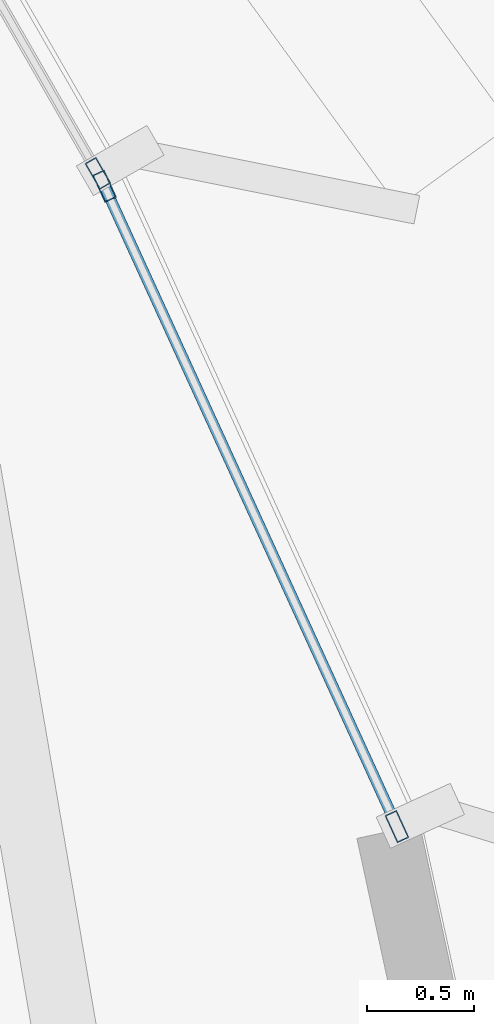
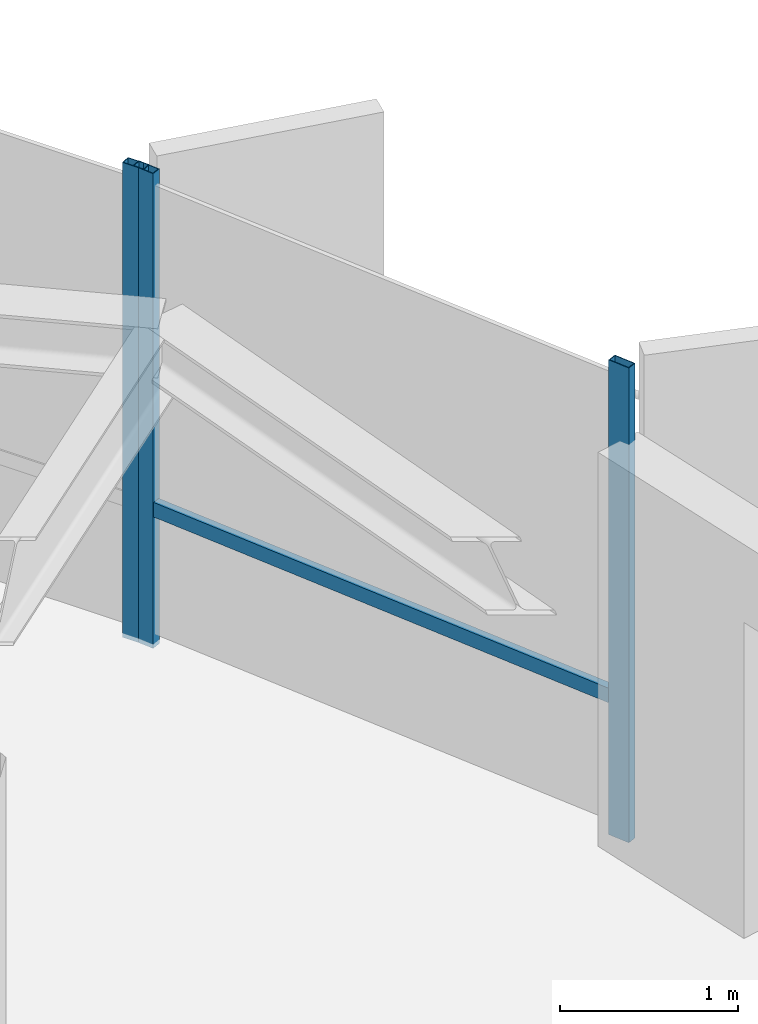
# One storey, part 25 of 35: 4 members, 2 elements without a shape of their own.
"""IFC4 building model written with IfcOpenShell, lengths in metres."""

from ifc_helpers import new_model, si_unit, direction, frame, origin, origin_2d, place, context, subcontext, project, spatial, hollow_rectangle, extrude, source, transform, mapped, material, layer, layer_set, material_profile, profile_set, type_object, element, aggregate, save


model = new_model("IFC4")

# Units and contexts
model_context = context("Model", 3, precision=1e-05, world=origin(), true_north=direction((0.0, 1.0)))
body_context = subcontext(model_context, "Body", "Model", "MODEL_VIEW")
ifc_project = project(units=[si_unit("LENGTHUNIT", "METRE"), si_unit("AREAUNIT", "SQUARE_METRE"), si_unit("VOLUMEUNIT", "CUBIC_METRE"), si_unit("PLANEANGLEUNIT", "RADIAN"), si_unit("MASSUNIT", "GRAM", prefix="KILO"), si_unit("THERMODYNAMICTEMPERATUREUNIT", "KELVIN")], contexts=[model_context])

# Site, building, storey
site_placement = place(None, origin())
site = spatial("IfcSite", under=ifc_project, at=site_placement, CompositionType="ELEMENT")
building_placement = place(site_placement, origin())
building = spatial("IfcBuilding", under=site, at=building_placement, Name="Kethvar Cultural Tower", CompositionType="ELEMENT")
storey_placement = place(building_placement, frame((0.0, 0.0, 179.89990234375)))
storey = spatial("IfcBuildingStorey", under=building, at=storey_placement, Name="L46", CompositionType="ELEMENT", Elevation=179.89990234375)

# Curtain wall, member
ifc_material = material(Name="Aluminium 6063-T6", Category="aluminium")
ifc_layer = layer(ifc_material, 0.179931640625, Name="Aluminium 6063-T6", Category="aluminium")
ifc_layer_set = layer_set([ifc_layer], Name="Aluminium 6063-T6 (180 mm)")
curtain_wall_type = type_object("IfcCurtainWallType", Name="CW-SYS-04-Z34", PredefinedType="NOTDEFINED", material=ifc_layer_set)
curtain_wall_1_placement = place(storey_placement, origin())
curtain_wall_1 = element("IfcCurtainWall", 1, at=curtain_wall_1_placement, inside=storey, type_object=curtain_wall_type, Name="L46 Curtain Wall Run 01", PredefinedType="NOTDEFINED")
ifc_material_profile_1 = material_profile(ifc_material, hollow_rectangle(XDim=0.06005859375, YDim=0.139892578125, WallThickness=0.0048828125, at=origin_2d()), Name="Aluminium 6063-T6 — RHS140x60x5")
ifc_profile_set_1 = profile_set([ifc_material_profile_1], Name="Aluminium 6063-T6 — RHS140x60x5")
member_type_1 = type_object("IfcMemberType", Name="CW-SYS-04-Z34-MUL", PredefinedType="MULLION", material=ifc_profile_set_1)
shared_shape_1 = source(origin(), body_context, "Body", "SweptSolid", [
    extrude(hollow_rectangle(XDim=0.06005859375, YDim=0.139892578125, WallThickness=0.0048828125, at=origin_2d()), origin(), (0.0, 0.0, 1.0), 3.260009765625),
])
member_1_placement = place(storey_placement, frame((68.578857421875, 43.685791015625, 0.0), z_axis=(0.0, 0.0, 1.0), x_axis=(-0.867140252475, -0.498064034575, 0.0)))
member_1 = element("IfcMember", 2, at=member_1_placement, type_object=member_type_1, Name="CW-L46-R01 Mullion 1", PredefinedType="MULLION", context=body_context, shape_type="MappedRepresentation", body=[
    mapped(shared_shape_1, transform((0.0, 0.0, 0.0), scale=1.0)),
])
aggregate(curtain_wall_1, [member_1])

# Curtain wall, members
curtain_wall_2_placement = place(storey_placement, origin())
curtain_wall_2 = element("IfcCurtainWall", 3, at=curtain_wall_2_placement, inside=storey, type_object=curtain_wall_type, Name="L46 Curtain Wall Run 07", PredefinedType="NOTDEFINED")
member_2_placement = place(storey_placement, frame((69.974609375, 40.636962890625, 0.0), z_axis=(0.0, 0.0, 1.0), x_axis=(-0.909620789922, -0.4154395486, 0.0)))
member_2 = element("IfcMember", 4, at=member_2_placement, type_object=member_type_1, Name="CW-L46-R07 Mullion 1", PredefinedType="MULLION", context=body_context, shape_type="MappedRepresentation", body=[
    mapped(shared_shape_1, transform((0.0, 0.0, 0.0), scale=1.0)),
])
member_3_placement = place(storey_placement, frame((68.60986328125, 43.62548828125, 0.0), z_axis=(0.0, 0.0, 1.0), x_axis=(-0.909620789922, -0.4154395486, 0.0)))
member_3 = element("IfcMember", 5, at=member_3_placement, type_object=member_type_1, Name="CW-L46-R07 Mullion 2", PredefinedType="MULLION", context=body_context, shape_type="MappedRepresentation", body=[
    mapped(shared_shape_1, transform((0.0, 0.0, 0.0), scale=1.0)),
])
ifc_material_profile_2 = material_profile(ifc_material, hollow_rectangle(XDim=0.050048828125, YDim=0.10009765625, WallThickness=0.00390625, at=origin_2d()), Name="Aluminium 6063-T6 — RHS100x50x4")
ifc_profile_set_2 = profile_set([ifc_material_profile_2], Name="Aluminium 6063-T6 — RHS100x50x4")
member_type_2 = type_object("IfcMemberType", Name="CW-SYS-04-Z34-TRN", PredefinedType="USERDEFINED", material=ifc_profile_set_2)
shared_shape_2 = source(origin(), body_context, "Body", "SweptSolid", [
    extrude(hollow_rectangle(XDim=0.050048828125, YDim=0.10009765625, WallThickness=0.00390625, at=origin_2d()), origin(), (0.0, 0.0, 1.0), 3.27685546875),
])
member_4_placement = place(storey_placement, frame((69.972900390625, 40.640869140625, 0.9501953125), z_axis=(-0.415435758575, 0.909622520883, 0.0), x_axis=(-0.909622520883, -0.415435758575, 0.0)))
member_4 = element("IfcMember", 6, at=member_4_placement, type_object=member_type_2, Name="CW-L46-R07 Transom 1", ObjectType="TRANSOM", PredefinedType="USERDEFINED", context=body_context, shape_type="MappedRepresentation", body=[
    mapped(shared_shape_2, transform((0.0, 0.0, 0.0), scale=1.0)),
])
aggregate(curtain_wall_2, [member_2, member_3, member_4])

save(model, "model.ifc")
